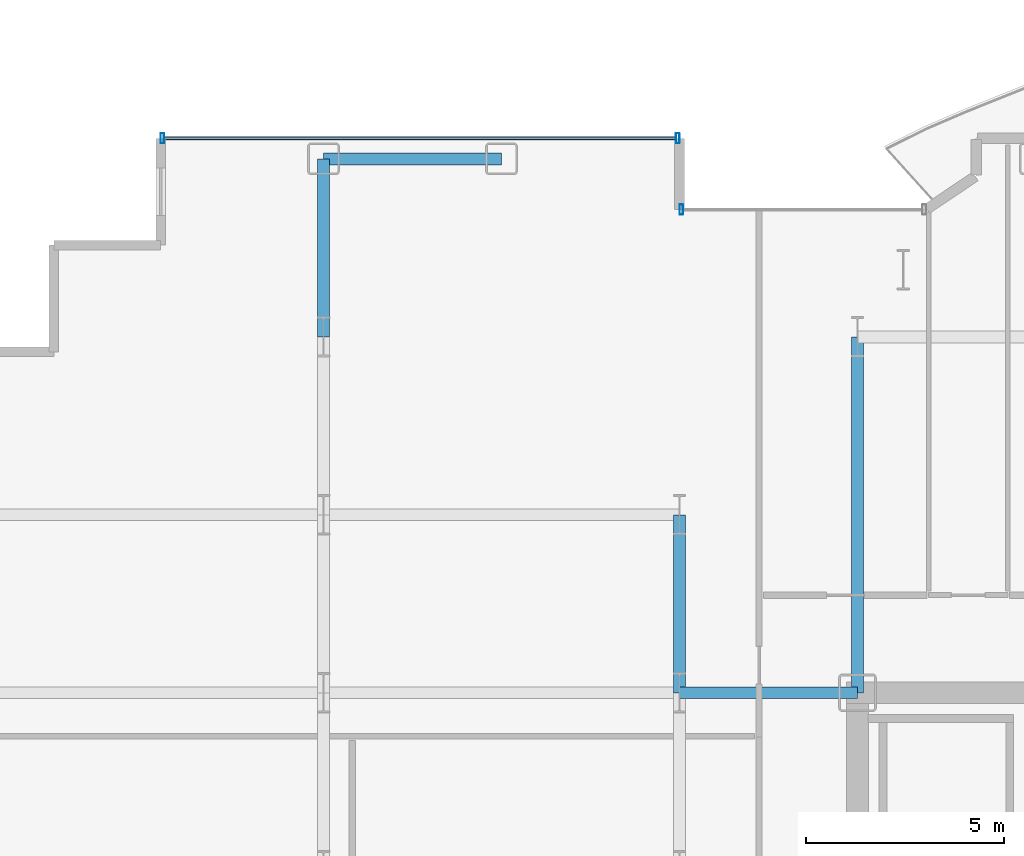
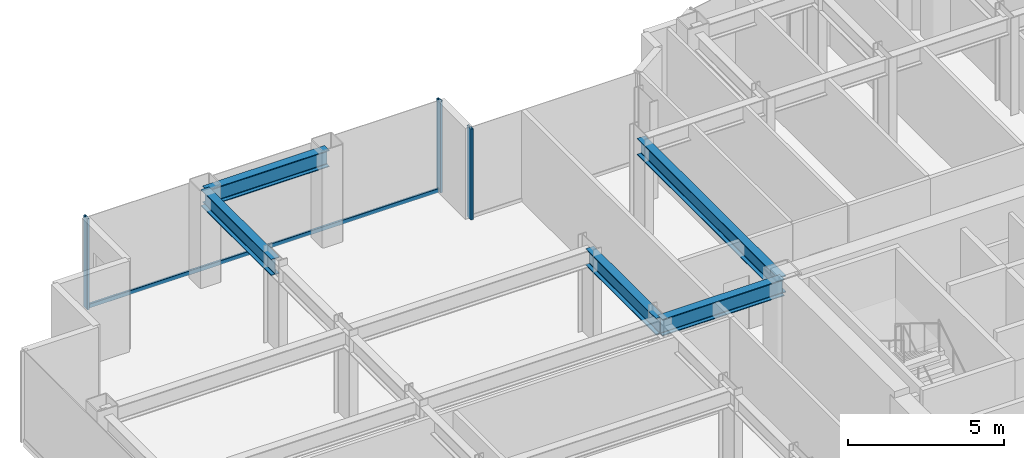
# One storey, part 12 of 29: 5 beams, 4 members, 2 elements without a shape of their own.
"""IFC4 building model written with IfcOpenShell, lengths in metres."""

import ifcopenshell
import ifcopenshell.guid

model = None  # the IFC model being written
_history = None  # IfcOwnerHistory: only IFC2X3 demands one
_inside = {}  # id of a spatial element -> (the spatial element, [elements in it])
_under = {}  # id of a project, library or spatial element -> (it, [spatial elements below it])
_declared = {}  # id of a project -> (the project, [libraries it declares])
_typed = {}  # id of a type object -> (the type object, [elements of that type])
_made_of = {}  # id of a material, layer set ... -> (it, [elements and type objects made of it])


def new_model(schema):
    """Start an empty IFC model of exactly this schema.

    Asked for "IFC4X3", IfcOpenShell would pick the latest addendum, in which some entities
    have other attributes; the version numbers below select the first issue.
    IFC2X3 requires an IfcOwnerHistory on every rooted entity: one is made here for all.
    """
    global model, _history
    if schema == "IFC4X3":
        model = ifcopenshell.file(schema_version=(4, 3, 0, 0))
    else:
        model = ifcopenshell.file(schema=schema)
    _inside.clear()
    _under.clear()
    _declared.clear()
    _typed.clear()
    _made_of.clear()
    _history = None
    if model.schema == "IFC2X3":
        org = make("IfcOrganization", Name="unknown")
        user = make(
            "IfcPersonAndOrganization",
            ThePerson=make("IfcPerson", FamilyName="unknown"),
            TheOrganization=org,
        )
        app = make(
            "IfcApplication",
            ApplicationDeveloper=org,
            Version="unknown",
            ApplicationFullName="unknown",
            ApplicationIdentifier="unknown",
        )
        _history = make(
            "IfcOwnerHistory",
            OwningUser=user,
            OwningApplication=app,
            ChangeAction="ADDED",
            CreationDate=0,
        )
    return model


def make(cls, **values):
    """One entity of the class cls with the attributes given. An attribute that is None is left unset."""
    return model.create_entity(
        cls, **{name: value for name, value in values.items() if value is not None}
    )


def rooted(cls, **values):
    """An entity with a GlobalId (a new one), such as an element, a storey or a relation."""
    return make(cls, GlobalId=ifcopenshell.guid.new(), OwnerHistory=_history, **values)


def si_unit(unit_type, name, prefix=None):
    """IfcSIUnit, for example si_unit("LENGTHUNIT", "METRE", prefix="MILLI")."""
    return make("IfcSIUnit", UnitType=unit_type, Prefix=prefix, Name=name)


def assignment(units):
    """IfcUnitAssignment: the units of a project."""
    return None if units is None else make("IfcUnitAssignment", Units=units)


def point(xyz):
    """IfcCartesianPoint."""
    return None if xyz is None else make("IfcCartesianPoint", Coordinates=xyz)


def direction(xyz):
    """IfcDirection."""
    return None if xyz is None else make("IfcDirection", DirectionRatios=xyz)


def frame(location, z_axis=None, x_axis=None):
    """IfcAxis2Placement3D, a coordinate frame: its origin and axes. An axis left out is left unset."""
    return make(
        "IfcAxis2Placement3D",
        Location=point(location),
        Axis=direction(z_axis),
        RefDirection=direction(x_axis),
    )


def frame_2d(location, x_axis=None):
    """IfcAxis2Placement2D, a coordinate frame in the plane: its origin and x axis."""
    return make(
        "IfcAxis2Placement2D", Location=point(location), RefDirection=direction(x_axis)
    )


def origin():
    """The frame at (0, 0, 0) with its axes left unset."""
    return frame((0.0, 0.0, 0.0))


def origin_2d():
    """The frame at (0, 0) in the plane with its x axis left unset."""
    return frame_2d((0.0, 0.0))


def place(relative_to, where):
    """IfcLocalPlacement: puts the frame where relative to a parent placement (None: the world)."""
    return make(
        "IfcLocalPlacement", PlacementRelTo=relative_to, RelativePlacement=where
    )


def context(
    kind, dimensions, precision=None, world=None, true_north=None, identifier=None
):
    """IfcGeometricRepresentationContext, for example the 3D "Model" context."""
    return make(
        "IfcGeometricRepresentationContext",
        ContextIdentifier=identifier,
        ContextType=kind,
        CoordinateSpaceDimension=dimensions,
        Precision=precision,
        WorldCoordinateSystem=world,
        TrueNorth=true_north,
    )


def subcontext(parent, identifier, kind, view, scale=None):
    """IfcGeometricRepresentationSubContext, for example "Body" below "Model"."""
    return make(
        "IfcGeometricRepresentationSubContext",
        ContextIdentifier=identifier,
        ContextType=kind,
        ParentContext=parent,
        TargetScale=scale,
        TargetView=view,
    )


def project(units=None, contexts=None):
    """IfcProject with its units and contexts."""
    return rooted(
        "IfcProject",
        Name="project",
        RepresentationContexts=contexts,
        UnitsInContext=assignment(units),
    )


def spatial(cls, under=None, at=None, **own):
    """A site, building, storey or space (cls), placed at a placement, below another one or the project."""
    s = rooted(cls, ObjectPlacement=at, **own)
    if under is not None:
        _under.setdefault(under.id(), (under, []))[1].append(s)
    return s


def profile(cls, at=None, kind="AREA", **sizes):
    """A parametric profile (cls). Its sizes go by their IFC names, for example OverallWidth=200.0."""
    return make(cls, ProfileType=kind, Position=at, **sizes)


def hollow_rectangle(**sizes):
    """IfcRectangleHollowProfileDef."""
    return profile("IfcRectangleHollowProfileDef", **sizes)


def i_section(**sizes):
    """IfcIShapeProfileDef."""
    return profile("IfcIShapeProfileDef", **sizes)


def extrude(swept, where, along, depth):
    """IfcExtrudedAreaSolid: the profile swept, set in the frame where, extruded along a direction by depth."""
    return make(
        "IfcExtrudedAreaSolid",
        SweptArea=swept,
        Position=where,
        ExtrudedDirection=direction(along),
        Depth=depth,
    )


def shape(context_of_items, identifier, shape_type, items):
    """IfcShapeRepresentation: the items that make up one representation, for example the "Body"."""
    return make(
        "IfcShapeRepresentation",
        ContextOfItems=context_of_items,
        RepresentationIdentifier=identifier,
        RepresentationType=shape_type,
        Items=items,
    )


def source(mapping_origin, context_of_items, identifier, shape_type, items):
    """IfcRepresentationMap: a shape defined once, which mapped items show again and again."""
    return make(
        "IfcRepresentationMap",
        MappingOrigin=mapping_origin,
        MappedRepresentation=shape(context_of_items, identifier, shape_type, items),
    )


def transform(
    local_origin,
    x_axis=None,
    y_axis=None,
    z_axis=None,
    scale=None,
    scale2=None,
    scale3=None,
    uniform=True,
):
    """IfcCartesianTransformationOperator3D, or its non-uniform kind. x_axis, y_axis, z_axis: its Axis1, 2, 3."""
    if uniform:
        return make(
            "IfcCartesianTransformationOperator3D",
            Axis1=direction(x_axis),
            Axis2=direction(y_axis),
            LocalOrigin=point(local_origin),
            Scale=scale,
            Axis3=direction(z_axis),
        )
    return make(
        "IfcCartesianTransformationOperator3DnonUniform",
        Axis1=direction(x_axis),
        Axis2=direction(y_axis),
        LocalOrigin=point(local_origin),
        Scale=scale,
        Axis3=direction(z_axis),
        Scale2=scale2,
        Scale3=scale3,
    )


def mapped(mapping_source, mapping_target):
    """IfcMappedItem: shows the shape of a source again, moved by a transform."""
    return make(
        "IfcMappedItem", MappingSource=mapping_source, MappingTarget=mapping_target
    )


def material(Name=None, Category=None):
    """IfcMaterial."""
    return make("IfcMaterial", Name=Name, Category=Category)


def layer(
    of_material, thickness, ventilated=None, Name=None, Category=None, Priority=None
):
    """IfcMaterialLayer: one layer of a wall or slab, of a material (None: an air gap)."""
    return make(
        "IfcMaterialLayer",
        Material=of_material,
        LayerThickness=thickness,
        IsVentilated=ventilated,
        Name=Name,
        Category=Category,
        Priority=Priority,
    )


def layer_set(layers, Name=None):
    """IfcMaterialLayerSet."""
    return make("IfcMaterialLayerSet", MaterialLayers=layers, LayerSetName=Name)


def material_profile(
    of_material, cross_section, Name=None, Category=None, Priority=None
):
    """IfcMaterialProfile: a cross section and its material."""
    return make(
        "IfcMaterialProfile",
        Name=Name,
        Material=of_material,
        Profile=cross_section,
        Priority=Priority,
        Category=Category,
    )


def profile_set(profiles, Name=None, composite=None):
    """IfcMaterialProfileSet."""
    return make(
        "IfcMaterialProfileSet",
        Name=Name,
        MaterialProfiles=profiles,
        CompositeProfile=composite,
    )


def made_of(thing, what):
    """Note that an element or type object is made of a material, layer set ...; save() writes the relation."""
    if what is not None:
        _made_of.setdefault(what.id(), (what, []))[1].append(thing)
    return thing


def type_object(cls, material=None, **own):
    """A type object (cls), such as IfcWallType, which elements share."""
    return made_of(rooted(cls, **own), material)


def element(
    cls,
    number,
    at=None,
    inside=None,
    cuts=None,
    type_object=None,
    material=None,
    context=None,
    identifier="Body",
    shape_type=None,
    held_by="IfcProductDefinitionShape",
    body=None,
    shapes=None,
    **own,
):
    """One element of the class cls, such as IfcWall. Its Tag is "e" and its number.

    at: its placement. inside: the storey or other place that contains it. cuts: it is an
    opening in that element (IfcRelVoidsElement). A single representation is given by context,
    identifier, shape_type and body (its items); several are given by shapes. held_by: the class
    of the entity that holds the representations. save() writes the other relations.
    """
    e = rooted(cls, Tag="e%d" % number, ObjectPlacement=at, **own)
    if body is not None:
        shapes = [shape(context, identifier, shape_type, body)]
    if shapes is not None:
        e.Representation = make(held_by, Representations=shapes)
    if inside is not None:
        _inside.setdefault(inside.id(), (inside, []))[1].append(e)
    if cuts is not None:
        rooted(
            "IfcRelVoidsElement", RelatingBuildingElement=cuts, RelatedOpeningElement=e
        )
    if type_object is not None:
        _typed.setdefault(type_object.id(), (type_object, []))[1].append(e)
    return made_of(e, material)


def aggregate(whole, parts):
    """IfcRelAggregates: a whole, such as a stair, and the parts it consists of."""
    return rooted("IfcRelAggregates", RelatingObject=whole, RelatedObjects=parts)


def save(model, path):
    """Write the relations noted so far, then the file.

    IfcRelAggregates (storeys below a building ...), IfcRelContainedInSpatialStructure (elements
    in a storey), IfcRelDefinesByType, IfcRelAssociatesMaterial and IfcRelDeclares: one each for
    every whole, place, type object, material and project.
    """
    for whole, parts in _under.values():
        aggregate(whole, parts)
    for where, things in _inside.values():
        rooted(
            "IfcRelContainedInSpatialStructure",
            RelatedElements=things,
            RelatingStructure=where,
        )
    for kind, things in _typed.values():
        rooted("IfcRelDefinesByType", RelatedObjects=things, RelatingType=kind)
    for what, things in _made_of.values():
        rooted("IfcRelAssociatesMaterial", RelatedObjects=things, RelatingMaterial=what)
    for by, libraries in _declared.values():
        rooted("IfcRelDeclares", RelatingContext=by, RelatedDefinitions=libraries)
    model.write(path)


model = new_model("IFC4")

# Units and contexts
model_context = context("Model", 3, precision=1e-05, world=origin(), true_north=direction((0.0, 1.0)))
body_context = subcontext(model_context, "Body", "Model", "MODEL_VIEW")
ifc_project = project(units=[si_unit("LENGTHUNIT", "METRE"), si_unit("AREAUNIT", "SQUARE_METRE"), si_unit("VOLUMEUNIT", "CUBIC_METRE"), si_unit("PLANEANGLEUNIT", "RADIAN"), si_unit("MASSUNIT", "GRAM", prefix="KILO")], contexts=[model_context])

# Site, building, storey
site_placement = place(None, origin())
site = spatial("IfcSite", under=ifc_project, at=site_placement, CompositionType="ELEMENT")
building_placement = place(site_placement, origin())
building = spatial("IfcBuilding", under=site, at=building_placement, Name="Nefas-Gora Pilgrimage Tower", CompositionType="ELEMENT")
storey_placement = place(building_placement, frame((0.0, 0.0, 136.39990234375)))
storey = spatial("IfcBuildingStorey", under=building, at=storey_placement, Name="L33", CompositionType="ELEMENT", Elevation=136.39990234375)

# Beams
ifc_material_1 = material(Name="Steel S355", Category="steel")
ifc_material_profile_1 = material_profile(ifc_material_1, i_section(OverallWidth=0.300048828125, OverallDepth=0.64990234375, WebThickness=0.01611328125, FlangeThickness=0.031005859375, FilletRadius=0.027099609375, at=origin_2d()), Name="HEB 650")
ifc_profile_set_1 = profile_set([ifc_material_profile_1], Name="Steel S355")
beam_type_1 = type_object("IfcBeamType", Name="BM-SPN-HEB500", PredefinedType="SPANDREL", material=ifc_profile_set_1)
shared_shape_1 = source(origin(), body_context, "Body", "SweptSolid", [
    extrude(i_section(OverallWidth=0.300048828125, OverallDepth=0.64990234375, WebThickness=0.01611328125, FlangeThickness=0.031005859375, FilletRadius=0.027099609375, at=origin_2d()), origin(), (0.0, 0.0, 1.0), 4.5),
])
beam_1_placement = place(storey_placement, frame((-24.75, 22.5, 3.22509765625), z_axis=(1.0, 0.0, 0.0), x_axis=(0.0, 1.0, 0.0)))
element("IfcBeam", 1, at=beam_1_placement, inside=storey, type_object=beam_type_1, Name="L33 SP-02 beam", PredefinedType="SPANDREL", context=body_context, shape_type="MappedRepresentation", body=[
    mapped(shared_shape_1, transform((0.0, 0.0, 0.0), x_axis=(1.0, 0.0, 0.0), y_axis=(0.0, 1.0, 0.0), z_axis=(0.0, 0.0, 1.0), scale=1.0)),
])
ifc_material_profile_2 = material_profile(ifc_material_1, i_section(OverallWidth=0.300048828125, OverallDepth=0.64990234375, WebThickness=0.01611328125, FlangeThickness=0.031005859375, FilletRadius=0.027099609375, at=origin_2d()), Name="HEB 650")
ifc_profile_set_2 = profile_set([ifc_material_profile_2], Name="Steel S355")
beam_type_2 = type_object("IfcBeamType", Name="BM-GIR-HEB650", PredefinedType="BEAM", material=ifc_profile_set_2)
shared_shape_2 = source(origin(), body_context, "Body", "SweptSolid", [
    extrude(i_section(OverallWidth=0.300048828125, OverallDepth=0.64990234375, WebThickness=0.01611328125, FlangeThickness=0.031005859375, FilletRadius=0.027099609375, at=origin_2d()), origin(), (0.0, 0.0, 1.0), 9.0),
])
beam_2_placement = place(storey_placement, frame((-11.25, 9.0, 3.22509765625), z_axis=(0.0, 1.0, 0.0), x_axis=(-1.0, 0.0, 0.0)))
element("IfcBeam", 2, at=beam_2_placement, inside=storey, type_object=beam_type_2, Name="L33 G-03 beam", PredefinedType="BEAM", context=body_context, shape_type="MappedRepresentation", body=[
    mapped(shared_shape_2, transform((0.0, 0.0, 0.0), x_axis=(1.0, 0.0, 0.0), y_axis=(0.0, 1.0, 0.0), z_axis=(0.0, 0.0, 1.0), scale=1.0)),
])
shared_shape_3 = source(origin(), body_context, "Body", "SweptSolid", [
    extrude(i_section(OverallWidth=0.300048828125, OverallDepth=0.64990234375, WebThickness=0.01611328125, FlangeThickness=0.031005859375, FilletRadius=0.027099609375, at=origin_2d()), origin(), (0.0, 0.0, 1.0), 4.5),
])
for number, where, z_axis, x_axis, name in (
    (3, (-24.75, 18.0, 3.22509765625), (0.0, 1.0, 0.0), (-1.0, 0.0, 0.0), "L33 G-03 beam"),
    (4, (-15.75, 9.0, 3.22509765625), (0.0, 1.0, 0.0), (-1.0, 0.0, 0.0), "L33 G-03 beam"),
    (5, (-15.75, 9.0, 3.22509765625), (1.0, 0.0, 0.0), (0.0, 1.0, 0.0), "L33 G-03 beam"),
):
    element("IfcBeam", number, at=place(storey_placement, frame(where, z_axis=z_axis, x_axis=x_axis)), inside=storey, type_object=beam_type_2, Name=name, PredefinedType="BEAM", context=body_context, shape_type="MappedRepresentation", body=[
        mapped(shared_shape_3, transform((0.0, 0.0, 0.0), x_axis=(1.0, 0.0, 0.0), y_axis=(0.0, 1.0, 0.0), z_axis=(0.0, 0.0, 1.0), scale=1.0)),
    ])

# Curtain wall, member
ifc_material_2 = material(Name="Dark ceramic-fritted solar-control aluminium-glass curtain wall", Category="aluminium")
ifc_layer_1 = layer(ifc_material_2, 0.219970703125)
ifc_layer_set_1 = layer_set([ifc_layer_1], Name="Dark ceramic-fritted solar-control aluminium-glass curtain wall")
curtain_wall_type_1 = type_object("IfcCurtainWallType", Name="CW-SYS-5", PredefinedType="NOTDEFINED", material=ifc_layer_set_1)
curtain_wall_1_placement = place(storey_placement, origin())
curtain_wall_1 = element("IfcCurtainWall", 6, at=curtain_wall_1_placement, inside=storey, type_object=curtain_wall_type_1, Name="L33 Unitised Curtain Wall CW5", PredefinedType="NOTDEFINED")
ifc_material_3 = material(Name="Anodised architectural aluminium", Category="aluminium")
ifc_material_profile_3 = material_profile(ifc_material_3, hollow_rectangle(XDim=0.090087890625, YDim=0.260009765625, WallThickness=0.006103515625, InnerFilletRadius=0.006103515625, OuterFilletRadius=0.011962890625, at=origin_2d()), Name="ALU MULLION 90x260")
ifc_profile_set_3 = profile_set([ifc_material_profile_3], Name="Anodised architectural aluminium")
member_type_1 = type_object("IfcMemberType", Name="CWM-MUL-5", PredefinedType="MULLION", material=ifc_profile_set_3)
shared_shape_4 = source(origin(), body_context, "Body", "SweptSolid", [
    extrude(hollow_rectangle(XDim=0.090087890625, YDim=0.260009765625, WallThickness=0.006103515625, InnerFilletRadius=0.006103515625, OuterFilletRadius=0.011962890625, at=origin_2d()), origin(), (0.0, 0.0, 1.0), 3.550048828125),
])
member_1_placement = place(storey_placement, frame((-15.705078125, 21.219970703125, 0.0), z_axis=(0.0, 0.0, 1.0), x_axis=(-1.0, 0.0, 0.0)))
member_1 = element("IfcMember", 7, at=member_1_placement, type_object=member_type_1, Name="CW5 Mullion 2", PredefinedType="MULLION", context=body_context, shape_type="MappedRepresentation", body=[
    mapped(shared_shape_4, transform((0.0, 0.0, 0.0), x_axis=(1.0, 0.0, 0.0), y_axis=(0.0, 1.0, 0.0), z_axis=(0.0, 0.0, 1.0), scale=1.0)),
])
aggregate(curtain_wall_1, [member_1])

# Curtain wall, members
ifc_layer_2 = layer(ifc_material_2, 0.219970703125)
ifc_layer_set_2 = layer_set([ifc_layer_2], Name="Dark ceramic-fritted solar-control aluminium-glass curtain wall")
curtain_wall_type_2 = type_object("IfcCurtainWallType", Name="CW-SYS-2", PredefinedType="NOTDEFINED", material=ifc_layer_set_2)
curtain_wall_2_placement = place(storey_placement, origin())
curtain_wall_2 = element("IfcCurtainWall", 8, at=curtain_wall_2_placement, inside=storey, type_object=curtain_wall_type_2, Name="L33 Unitised Curtain Wall CW2", PredefinedType="NOTDEFINED")
ifc_material_profile_4 = material_profile(ifc_material_3, hollow_rectangle(XDim=0.090087890625, YDim=0.260009765625, WallThickness=0.006103515625, InnerFilletRadius=0.006103515625, OuterFilletRadius=0.011962890625, at=origin_2d()), Name="ALU MULLION 90x260")
ifc_profile_set_4 = profile_set([ifc_material_profile_4], Name="Anodised architectural aluminium")
member_type_2 = type_object("IfcMemberType", Name="CWM-MUL-2", PredefinedType="MULLION", material=ifc_profile_set_4)
shared_shape_5 = source(origin(), body_context, "Body", "SweptSolid", [
    extrude(hollow_rectangle(XDim=0.090087890625, YDim=0.260009765625, WallThickness=0.006103515625, InnerFilletRadius=0.006103515625, OuterFilletRadius=0.011962890625, at=origin_2d()), origin(), (0.0, 0.0, 1.0), 3.550048828125),
])
member_2_placement = place(storey_placement, frame((-15.794921875, 23.02001953125, 0.0), z_axis=(0.0, 0.0, 1.0), x_axis=(-1.0, 0.0, 0.0)))
member_2 = element("IfcMember", 9, at=member_2_placement, type_object=member_type_2, Name="CW2 Mullion 1", PredefinedType="MULLION", context=body_context, shape_type="MappedRepresentation", body=[
    mapped(shared_shape_5, transform((0.0, 0.0, 0.0), x_axis=(1.0, 0.0, 0.0), y_axis=(0.0, 1.0, 0.0), z_axis=(0.0, 0.0, 1.0), scale=1.0)),
])
member_3_placement = place(storey_placement, frame((-28.824951171875, 23.02001953125, 0.0), z_axis=(0.0, 0.0, 1.0), x_axis=(-1.0, 0.0, 0.0)))
member_3 = element("IfcMember", 10, at=member_3_placement, type_object=member_type_2, Name="CW2 Mullion 2", PredefinedType="MULLION", context=body_context, shape_type="MappedRepresentation", body=[
    mapped(shared_shape_5, transform((0.0, 0.0, 0.0), x_axis=(1.0, 0.0, 0.0), y_axis=(0.0, 1.0, 0.0), z_axis=(0.0, 0.0, 1.0), scale=1.0)),
])
ifc_material_profile_5 = material_profile(ifc_material_3, hollow_rectangle(XDim=0.080078125, YDim=0.159912109375, WallThickness=0.00439453125, InnerFilletRadius=0.00439453125, OuterFilletRadius=0.009033203125, at=origin_2d()), Name="ALU TRANSOM 80x160")
ifc_profile_set_5 = profile_set([ifc_material_profile_5], Name="Anodised architectural aluminium")
member_type_3 = type_object("IfcMemberType", Name="CWM-TRN-2", PredefinedType="USERDEFINED", material=ifc_profile_set_5)
shared_shape_6 = source(origin(), body_context, "Body", "SweptSolid", [
    extrude(hollow_rectangle(XDim=0.080078125, YDim=0.159912109375, WallThickness=0.00439453125, InnerFilletRadius=0.00439453125, OuterFilletRadius=0.009033203125, at=origin_2d()), origin(), (0.0, 0.0, 1.0), 12.93994140625),
])
member_4_placement = place(storey_placement, frame((-15.840087890625, 23.02001953125, 0.050048828125), z_axis=(-1.0, 0.0, 0.0), x_axis=(0.0, -1.0, 0.0)))
member_4 = element("IfcMember", 11, at=member_4_placement, type_object=member_type_3, Name="CW2 Spandrel Transom", ObjectType="TRANSOM", PredefinedType="USERDEFINED", context=body_context, shape_type="MappedRepresentation", body=[
    mapped(shared_shape_6, transform((0.0, 0.0, 0.0), x_axis=(1.0, 0.0, 0.0), y_axis=(0.0, 1.0, 0.0), z_axis=(0.0, 0.0, 1.0), scale=1.0)),
])
aggregate(curtain_wall_2, [member_2, member_3, member_4])

save(model, "model.ifc")
